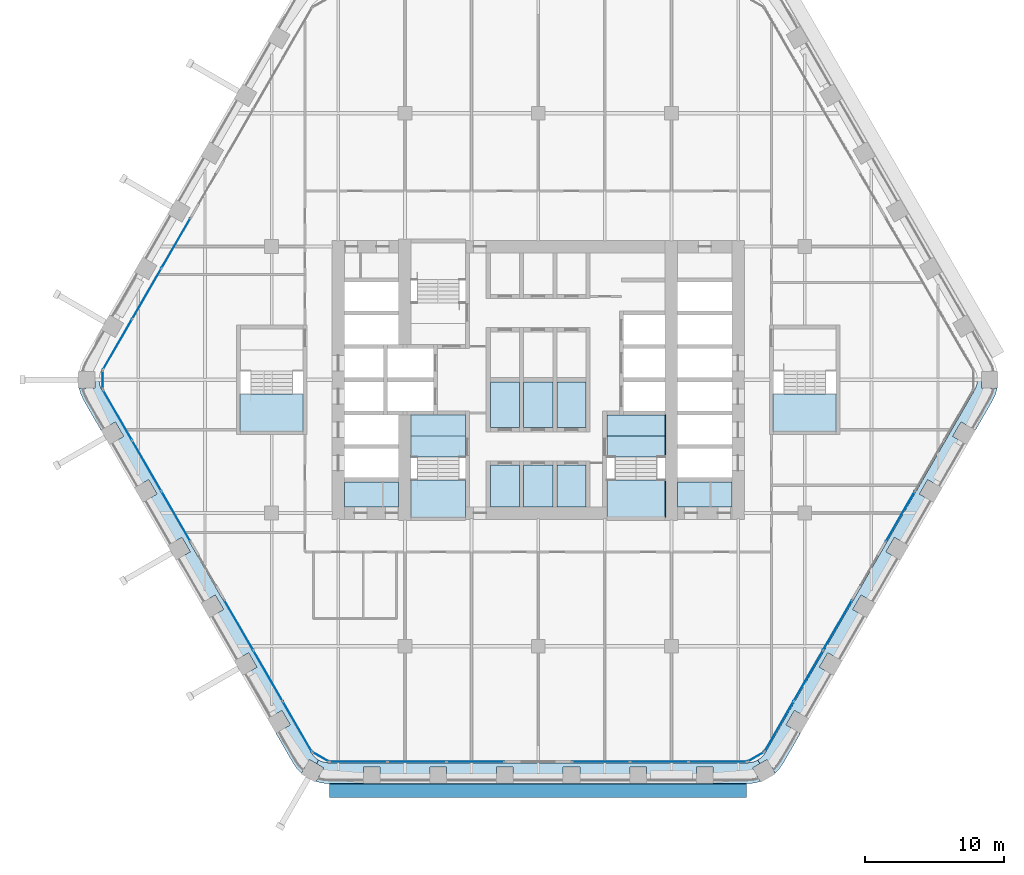
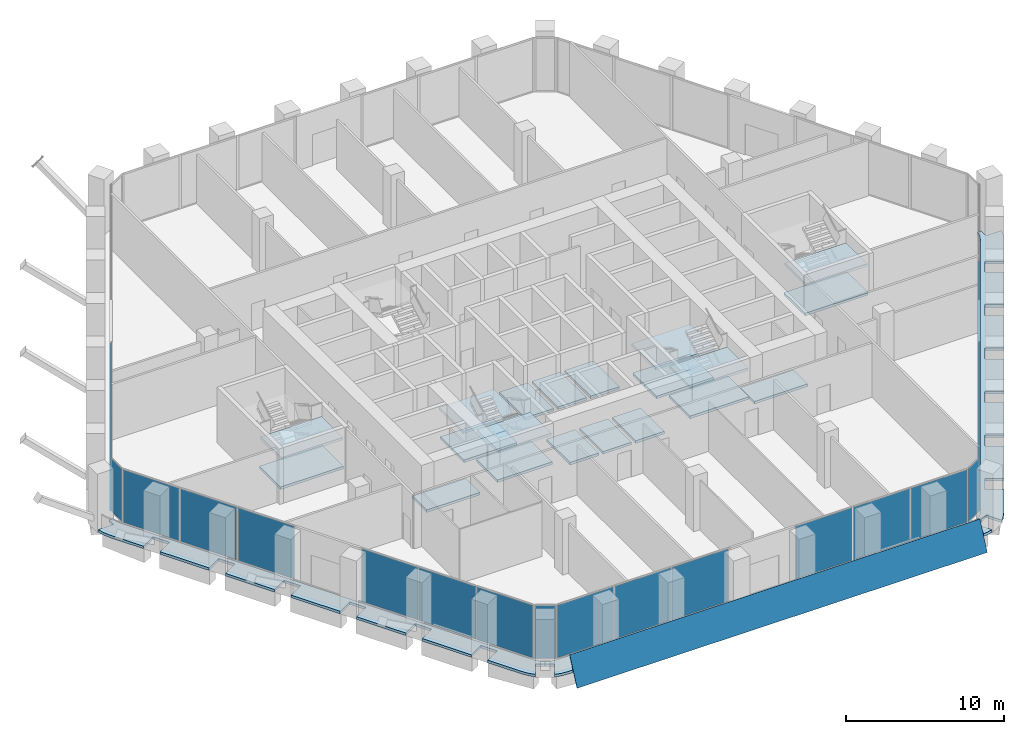
# One storey, part 12 of 27: 25 slabs, 23 plates, 14 elements without a shape of their own.
"""IFC4 building model written with IfcOpenShell, lengths in metres."""

import ifcopenshell
import ifcopenshell.guid

model = None  # the IFC model being written
_history = None  # IfcOwnerHistory: only IFC2X3 demands one
_inside = {}  # id of a spatial element -> (the spatial element, [elements in it])
_under = {}  # id of a project, library or spatial element -> (it, [spatial elements below it])
_declared = {}  # id of a project -> (the project, [libraries it declares])
_typed = {}  # id of a type object -> (the type object, [elements of that type])
_made_of = {}  # id of a material, layer set ... -> (it, [elements and type objects made of it])


def new_model(schema):
    """Start an empty IFC model of exactly this schema.

    Asked for "IFC4X3", IfcOpenShell would pick the latest addendum, in which some entities
    have other attributes; the version numbers below select the first issue.
    IFC2X3 requires an IfcOwnerHistory on every rooted entity: one is made here for all.
    """
    global model, _history
    if schema == "IFC4X3":
        model = ifcopenshell.file(schema_version=(4, 3, 0, 0))
    else:
        model = ifcopenshell.file(schema=schema)
    _inside.clear()
    _under.clear()
    _declared.clear()
    _typed.clear()
    _made_of.clear()
    _history = None
    if model.schema == "IFC2X3":
        org = make("IfcOrganization", Name="unknown")
        user = make(
            "IfcPersonAndOrganization",
            ThePerson=make("IfcPerson", FamilyName="unknown"),
            TheOrganization=org,
        )
        app = make(
            "IfcApplication",
            ApplicationDeveloper=org,
            Version="unknown",
            ApplicationFullName="unknown",
            ApplicationIdentifier="unknown",
        )
        _history = make(
            "IfcOwnerHistory",
            OwningUser=user,
            OwningApplication=app,
            ChangeAction="ADDED",
            CreationDate=0,
        )
    return model


def make(cls, **values):
    """One entity of the class cls with the attributes given. An attribute that is None is left unset."""
    return model.create_entity(
        cls, **{name: value for name, value in values.items() if value is not None}
    )


def rooted(cls, **values):
    """An entity with a GlobalId (a new one), such as an element, a storey or a relation."""
    return make(cls, GlobalId=ifcopenshell.guid.new(), OwnerHistory=_history, **values)


def si_unit(unit_type, name, prefix=None):
    """IfcSIUnit, for example si_unit("LENGTHUNIT", "METRE", prefix="MILLI")."""
    return make("IfcSIUnit", UnitType=unit_type, Prefix=prefix, Name=name)


def assignment(units):
    """IfcUnitAssignment: the units of a project."""
    return None if units is None else make("IfcUnitAssignment", Units=units)


def point(xyz):
    """IfcCartesianPoint."""
    return None if xyz is None else make("IfcCartesianPoint", Coordinates=xyz)


def direction(xyz):
    """IfcDirection."""
    return None if xyz is None else make("IfcDirection", DirectionRatios=xyz)


def frame(location, z_axis=None, x_axis=None):
    """IfcAxis2Placement3D, a coordinate frame: its origin and axes. An axis left out is left unset."""
    return make(
        "IfcAxis2Placement3D",
        Location=point(location),
        Axis=direction(z_axis),
        RefDirection=direction(x_axis),
    )


def frame_2d(location, x_axis=None):
    """IfcAxis2Placement2D, a coordinate frame in the plane: its origin and x axis."""
    return make(
        "IfcAxis2Placement2D", Location=point(location), RefDirection=direction(x_axis)
    )


def origin():
    """The frame at (0, 0, 0) with its axes left unset."""
    return frame((0.0, 0.0, 0.0))


def origin_2d():
    """The frame at (0, 0) in the plane with its x axis left unset."""
    return frame_2d((0.0, 0.0))


def place(relative_to, where):
    """IfcLocalPlacement: puts the frame where relative to a parent placement (None: the world)."""
    return make(
        "IfcLocalPlacement", PlacementRelTo=relative_to, RelativePlacement=where
    )


def context(
    kind, dimensions, precision=None, world=None, true_north=None, identifier=None
):
    """IfcGeometricRepresentationContext, for example the 3D "Model" context."""
    return make(
        "IfcGeometricRepresentationContext",
        ContextIdentifier=identifier,
        ContextType=kind,
        CoordinateSpaceDimension=dimensions,
        Precision=precision,
        WorldCoordinateSystem=world,
        TrueNorth=true_north,
    )


def subcontext(parent, identifier, kind, view, scale=None):
    """IfcGeometricRepresentationSubContext, for example "Body" below "Model"."""
    return make(
        "IfcGeometricRepresentationSubContext",
        ContextIdentifier=identifier,
        ContextType=kind,
        ParentContext=parent,
        TargetScale=scale,
        TargetView=view,
    )


def project(units=None, contexts=None):
    """IfcProject with its units and contexts."""
    return rooted(
        "IfcProject",
        Name="project",
        RepresentationContexts=contexts,
        UnitsInContext=assignment(units),
    )


def spatial(cls, under=None, at=None, **own):
    """A site, building, storey or space (cls), placed at a placement, below another one or the project."""
    s = rooted(cls, ObjectPlacement=at, **own)
    if under is not None:
        _under.setdefault(under.id(), (under, []))[1].append(s)
    return s


def polyline(points):
    """IfcPolyline through the points."""
    return make("IfcPolyline", Points=[point(p) for p in points])


def profile(cls, at=None, kind="AREA", **sizes):
    """A parametric profile (cls). Its sizes go by their IFC names, for example OverallWidth=200.0."""
    return make(cls, ProfileType=kind, Position=at, **sizes)


def rectangle(**sizes):
    """IfcRectangleProfileDef."""
    return profile("IfcRectangleProfileDef", **sizes)


def outline(outer, holes=None, kind="AREA"):
    """IfcArbitraryClosedProfileDef: a profile drawn as a closed curve; with holes, ...WithVoids."""
    if holes is None:
        return make("IfcArbitraryClosedProfileDef", ProfileType=kind, OuterCurve=outer)
    return make(
        "IfcArbitraryProfileDefWithVoids",
        ProfileType=kind,
        OuterCurve=outer,
        InnerCurves=holes,
    )


def extrude(swept, where, along, depth):
    """IfcExtrudedAreaSolid: the profile swept, set in the frame where, extruded along a direction by depth."""
    return make(
        "IfcExtrudedAreaSolid",
        SweptArea=swept,
        Position=where,
        ExtrudedDirection=direction(along),
        Depth=depth,
    )


def shape(context_of_items, identifier, shape_type, items):
    """IfcShapeRepresentation: the items that make up one representation, for example the "Body"."""
    return make(
        "IfcShapeRepresentation",
        ContextOfItems=context_of_items,
        RepresentationIdentifier=identifier,
        RepresentationType=shape_type,
        Items=items,
    )


def material(Name=None, Category=None):
    """IfcMaterial."""
    return make("IfcMaterial", Name=Name, Category=Category)


def layer(
    of_material, thickness, ventilated=None, Name=None, Category=None, Priority=None
):
    """IfcMaterialLayer: one layer of a wall or slab, of a material (None: an air gap)."""
    return make(
        "IfcMaterialLayer",
        Material=of_material,
        LayerThickness=thickness,
        IsVentilated=ventilated,
        Name=Name,
        Category=Category,
        Priority=Priority,
    )


def layer_set(layers, Name=None):
    """IfcMaterialLayerSet."""
    return make("IfcMaterialLayerSet", MaterialLayers=layers, LayerSetName=Name)


def made_of(thing, what):
    """Note that an element or type object is made of a material, layer set ...; save() writes the relation."""
    if what is not None:
        _made_of.setdefault(what.id(), (what, []))[1].append(thing)
    return thing


def type_object(cls, material=None, **own):
    """A type object (cls), such as IfcWallType, which elements share."""
    return made_of(rooted(cls, **own), material)


def element(
    cls,
    number,
    at=None,
    inside=None,
    cuts=None,
    type_object=None,
    material=None,
    context=None,
    identifier="Body",
    shape_type=None,
    held_by="IfcProductDefinitionShape",
    body=None,
    shapes=None,
    **own,
):
    """One element of the class cls, such as IfcWall. Its Tag is "e" and its number.

    at: its placement. inside: the storey or other place that contains it. cuts: it is an
    opening in that element (IfcRelVoidsElement). A single representation is given by context,
    identifier, shape_type and body (its items); several are given by shapes. held_by: the class
    of the entity that holds the representations. save() writes the other relations.
    """
    e = rooted(cls, Tag="e%d" % number, ObjectPlacement=at, **own)
    if body is not None:
        shapes = [shape(context, identifier, shape_type, body)]
    if shapes is not None:
        e.Representation = make(held_by, Representations=shapes)
    if inside is not None:
        _inside.setdefault(inside.id(), (inside, []))[1].append(e)
    if cuts is not None:
        rooted(
            "IfcRelVoidsElement", RelatingBuildingElement=cuts, RelatedOpeningElement=e
        )
    if type_object is not None:
        _typed.setdefault(type_object.id(), (type_object, []))[1].append(e)
    return made_of(e, material)


def aggregate(whole, parts):
    """IfcRelAggregates: a whole, such as a stair, and the parts it consists of."""
    return rooted("IfcRelAggregates", RelatingObject=whole, RelatedObjects=parts)


def save(model, path):
    """Write the relations noted so far, then the file.

    IfcRelAggregates (storeys below a building ...), IfcRelContainedInSpatialStructure (elements
    in a storey), IfcRelDefinesByType, IfcRelAssociatesMaterial and IfcRelDeclares: one each for
    every whole, place, type object, material and project.
    """
    for whole, parts in _under.values():
        aggregate(whole, parts)
    for where, things in _inside.values():
        rooted(
            "IfcRelContainedInSpatialStructure",
            RelatedElements=things,
            RelatingStructure=where,
        )
    for kind, things in _typed.values():
        rooted("IfcRelDefinesByType", RelatedObjects=things, RelatingType=kind)
    for what, things in _made_of.values():
        rooted("IfcRelAssociatesMaterial", RelatedObjects=things, RelatingMaterial=what)
    for by, libraries in _declared.values():
        rooted("IfcRelDeclares", RelatingContext=by, RelatedDefinitions=libraries)
    model.write(path)


model = new_model("IFC4")

# Units and contexts
model_context = context("Model", 3, precision=1e-05, world=origin(), true_north=direction((0.0, 1.0)))
body_context = subcontext(model_context, "Body", "Model", "MODEL_VIEW")
ifc_project = project(units=[si_unit("LENGTHUNIT", "METRE"), si_unit("AREAUNIT", "SQUARE_METRE"), si_unit("VOLUMEUNIT", "CUBIC_METRE"), si_unit("PLANEANGLEUNIT", "RADIAN"), si_unit("MASSUNIT", "GRAM", prefix="KILO")], contexts=[model_context])

# Site, building, storey
site_placement = place(None, origin())
site = spatial("IfcSite", under=ifc_project, at=site_placement, CompositionType="ELEMENT")
building_placement = place(site_placement, origin())
building = spatial("IfcBuilding", under=site, at=building_placement, Name="Kolab Exchange Tower", CompositionType="ELEMENT")
storey_placement = place(building_placement, frame((0.0, 0.0, 118.39990234375)))
storey = spatial("IfcBuildingStorey", under=building, at=storey_placement, Name="L23", CompositionType="ELEMENT", Elevation=118.39990234375)

# Slabs
ifc_material_1 = material(Name="Concrete C35/45", Category="concrete")
ifc_layer_1 = layer(ifc_material_1, 0.199951171875)
ifc_layer_set_1 = layer_set([ifc_layer_1], Name="Concrete C35/45")
slab_type_1 = type_object("IfcSlabType", Name="FLOOR SLAB 200", PredefinedType="FLOOR", material=ifc_layer_set_1)
slab_1_placement = place(storey_placement, frame((0.0, 0.0, -0.199951171875)))
element("IfcSlab", 1, at=slab_1_placement, inside=storey, type_object=slab_type_1, Name="slab/L23/floor/2", PredefinedType="FLOOR", context=body_context, shape_type="SweptSolid", body=[
    extrude(outline(polyline([(-10.050048828125, -9.14990234375), (-10.050048828125, -7.35009765625), (-13.949951171875, -7.35009765625), (-13.949951171875, -9.14990234375), (-10.050048828125, -9.14990234375)])), origin(), (0.0, 0.0, 1.0), 0.199951171875),
])
slab_2_placement = place(storey_placement, frame((0.0, 0.0, -0.199951171875)))
element("IfcSlab", 2, at=slab_2_placement, inside=storey, type_object=slab_type_1, Name="slab/L23/floor/4", PredefinedType="FLOOR", context=body_context, shape_type="SweptSolid", body=[
    extrude(outline(polyline([(10.050048828125, -9.14990234375), (13.949951171875, -9.14990234375), (13.949951171875, -7.35009765625), (10.050048828125, -7.35009765625), (10.050048828125, -9.14990234375)])), origin(), (0.0, 0.0, 1.0), 0.199951171875),
])
slab_3_placement = place(storey_placement, frame((0.0, 0.0, -0.199951171875)))
element("IfcSlab", 3, at=slab_3_placement, inside=storey, type_object=slab_type_1, Name="slab/L23/floor/6", PredefinedType="FLOOR", context=body_context, shape_type="SweptSolid", body=[
    extrude(outline(polyline([(-1.35009765625, -3.449951171875), (-1.35009765625, -0.14990234375), (-3.449951171875, -0.14990234375), (-3.449951171875, -3.449951171875), (-1.35009765625, -3.449951171875)])), origin(), (0.0, 0.0, 1.0), 0.199951171875),
])
slab_4_placement = place(storey_placement, frame((0.0, 0.0, -0.199951171875)))
element("IfcSlab", 4, at=slab_4_placement, inside=storey, type_object=slab_type_1, Name="slab/L23/floor/8", PredefinedType="FLOOR", context=body_context, shape_type="SweptSolid", body=[
    extrude(outline(polyline([(-1.050048828125, -0.14990234375), (-1.050048828125, -3.449951171875), (1.050048828125, -3.449951171875), (1.050048828125, -0.14990234375), (-1.050048828125, -0.14990234375)])), origin(), (0.0, 0.0, 1.0), 0.199951171875),
])
slab_5_placement = place(storey_placement, frame((0.0, 0.0, -0.199951171875)))
element("IfcSlab", 5, at=slab_5_placement, inside=storey, type_object=slab_type_1, Name="slab/L23/floor/10", PredefinedType="FLOOR", context=body_context, shape_type="SweptSolid", body=[
    extrude(outline(polyline([(1.35009765625, -3.449951171875), (3.449951171875, -3.449951171875), (3.449951171875, -0.14990234375), (1.35009765625, -0.14990234375), (1.35009765625, -3.449951171875)])), origin(), (0.0, 0.0, 1.0), 0.199951171875),
])
slab_6_placement = place(storey_placement, frame((0.0, 0.0, -0.199951171875)))
element("IfcSlab", 6, at=slab_6_placement, inside=storey, type_object=slab_type_1, Name="slab/L23/floor/14", PredefinedType="FLOOR", context=body_context, shape_type="SweptSolid", body=[
    extrude(outline(polyline([(-1.35009765625, -6.14990234375), (-3.449951171875, -6.14990234375), (-3.449951171875, -9.14990234375), (-1.35009765625, -9.14990234375), (-1.35009765625, -6.14990234375)])), origin(), (0.0, 0.0, 1.0), 0.199951171875),
])
slab_7_placement = place(storey_placement, frame((0.0, 0.0, -0.199951171875)))
element("IfcSlab", 7, at=slab_7_placement, inside=storey, type_object=slab_type_1, Name="slab/L23/floor/16", PredefinedType="FLOOR", context=body_context, shape_type="SweptSolid", body=[
    extrude(outline(polyline([(1.050048828125, -6.14990234375), (-1.050048828125, -6.14990234375), (-1.050048828125, -9.14990234375), (1.050048828125, -9.14990234375), (1.050048828125, -6.14990234375)])), origin(), (0.0, 0.0, 1.0), 0.199951171875),
])
slab_8_placement = place(storey_placement, frame((0.0, 0.0, -0.199951171875)))
element("IfcSlab", 8, at=slab_8_placement, inside=storey, type_object=slab_type_1, Name="slab/L23/floor/18", PredefinedType="FLOOR", context=body_context, shape_type="SweptSolid", body=[
    extrude(outline(polyline([(1.35009765625, -6.14990234375), (1.35009765625, -9.14990234375), (3.449951171875, -9.14990234375), (3.449951171875, -6.14990234375), (1.35009765625, -6.14990234375)])), origin(), (0.0, 0.0, 1.0), 0.199951171875),
])
slab_9_placement = place(storey_placement, frame((0.0, 0.0, -0.199951171875)))
element("IfcSlab", 9, at=slab_9_placement, inside=storey, type_object=slab_type_1, Name="slab/L23/floor/20", PredefinedType="FLOOR", context=body_context, shape_type="SweptSolid", body=[
    extrude(outline(polyline([(4.949951171875, -4.050048828125), (9.14990234375, -4.050048828125), (9.14990234375, -2.550048828125), (6.14990234375, -2.550048828125), (5.85009765625, -2.550048828125), (4.949951171875, -2.550048828125), (4.949951171875, -4.050048828125)])), origin(), (0.0, 0.0, 1.0), 0.199951171875),
])
slab_10_placement = place(storey_placement, frame((0.0, 0.0, -0.199951171875)))
element("IfcSlab", 10, at=slab_10_placement, inside=storey, type_object=slab_type_1, Name="slab/L23/floor/21", PredefinedType="FLOOR", context=body_context, shape_type="SweptSolid", body=[
    extrude(outline(polyline([(-9.14990234375, -2.550048828125), (-9.14990234375, -4.050048828125), (-5.25, -4.050048828125), (-5.25, -2.550048828125), (-7.25, -2.550048828125), (-7.550048828125, -2.550048828125), (-9.14990234375, -2.550048828125)])), origin(), (0.0, 0.0, 1.0), 0.199951171875),
])
ifc_layer_2 = layer(ifc_material_1, 0.199951171875)
ifc_layer_set_2 = layer_set([ifc_layer_2], Name="Concrete C35/45")
slab_type_2 = type_object("IfcSlabType", Name="LOGGIA SLAB 200", PredefinedType="FLOOR", material=ifc_layer_set_2)
slab_11_placement = place(storey_placement, frame((0.0, 0.0, -0.199951171875)))
element("IfcSlab", 11, at=slab_11_placement, inside=storey, type_object=slab_type_2, Name="slab/L23/loggia/2-0", PredefinedType="FLOOR", context=body_context, shape_type="SweptSolid", body=[
    extrude(outline(polyline([(17.666015625, -27.598388671875), (18.89990234375, -25.461181640625), (17.86083984375, -24.861083984375), (18.460693359375, -23.822021484375), (19.5, -24.421875), (21.300048828125, -21.30419921875), (20.2607421875, -20.704345703125), (20.86083984375, -19.6650390625), (21.89990234375, -20.264892578125), (23.699951171875, -17.147216796875), (22.660888671875, -16.54736328125), (23.2607421875, -15.508056640625), (24.300048828125, -16.108154296875), (26.10009765625, -12.990478515625), (25.060791015625, -12.390380859375), (25.660888671875, -11.35107421875), (26.699951171875, -11.951171875), (28.5, -8.83349609375), (27.460693359375, -8.2333984375), (28.060791015625, -7.1943359375), (29.10009765625, -7.794189453125), (30.89990234375, -4.676513671875), (29.86083984375, -4.076416015625), (30.460693359375, -3.037353515625), (31.5, -3.63720703125), (32.73388671875, -1.5), (32.955078125, -1.026123046875), (33.069091796875, -0.60009765625), (31.935791015625, -0.60009765625), (31.935791015625, 0.0), (31.635986328125, 0.0), (31.613037109375, -0.260498046875), (31.54541015625, -0.512939453125), (31.434814453125, -0.75), (16.366943359375, -26.848388671875), (16.217041015625, -27.062744140625), (16.0322265625, -27.24755859375), (15.81787109375, -27.3974609375), (15.968017578125, -27.6572265625), (16.487548828125, -27.357177734375), (17.05419921875, -28.338623046875), (17.365966796875, -28.02685546875), (17.666015625, -27.598388671875)])), origin(), (0.0, 0.0, 1.0), 0.199951171875),
])
slab_12_placement = place(storey_placement, frame((0.0, 0.0, -0.199951171875)))
element("IfcSlab", 12, at=slab_12_placement, inside=storey, type_object=slab_type_2, Name="slab/L23/loggia/3-0", PredefinedType="FLOOR", context=body_context, shape_type="SweptSolid", body=[
    extrude(outline(polyline([(-15.81787109375, -27.3974609375), (-15.968017578125, -27.6572265625), (-15.4482421875, -27.957275390625), (-16.014892578125, -28.938720703125), (-15.5888671875, -29.052978515625), (-15.06787109375, -29.098388671875), (-12.60009765625, -29.098388671875), (-12.60009765625, -27.8984375), (-11.39990234375, -27.8984375), (-11.39990234375, -29.098388671875), (-7.800048828125, -29.098388671875), (-7.800048828125, -27.8984375), (-6.60009765625, -27.8984375), (-6.60009765625, -29.098388671875), (-3.0, -29.098388671875), (-3.0, -27.8984375), (-1.800048828125, -27.8984375), (-1.800048828125, -29.098388671875), (1.800048828125, -29.098388671875), (1.800048828125, -27.8984375), (3.0, -27.8984375), (3.0, -29.098388671875), (6.60009765625, -29.098388671875), (6.60009765625, -27.8984375), (7.800048828125, -27.8984375), (7.800048828125, -29.098388671875), (11.39990234375, -29.098388671875), (11.39990234375, -27.8984375), (12.60009765625, -27.8984375), (12.60009765625, -29.098388671875), (15.06787109375, -29.098388671875), (15.5888671875, -29.052978515625), (16.014892578125, -28.938720703125), (15.4482421875, -27.957275390625), (15.968017578125, -27.6572265625), (15.81787109375, -27.3974609375), (15.5810546875, -27.508056640625), (15.328369140625, -27.57568359375), (15.06787109375, -27.598388671875), (-15.06787109375, -27.598388671875), (-15.328369140625, -27.57568359375), (-15.5810546875, -27.508056640625), (-15.81787109375, -27.3974609375)])), origin(), (0.0, 0.0, 1.0), 0.199951171875),
])
slab_13_placement = place(storey_placement, frame((0.0, 0.0, -0.199951171875)))
element("IfcSlab", 13, at=slab_13_placement, inside=storey, type_object=slab_type_2, Name="slab/L23/loggia/4-0", PredefinedType="FLOOR", context=body_context, shape_type="SweptSolid", body=[
    extrude(outline(polyline([(-31.635986328125, 0.0), (-31.935791015625, 0.0), (-31.935791015625, -0.60009765625), (-33.069091796875, -0.60009765625), (-32.955078125, -1.026123046875), (-32.73388671875, -1.5), (-31.5, -3.63720703125), (-30.460693359375, -3.037353515625), (-29.86083984375, -4.076416015625), (-30.89990234375, -4.676513671875), (-29.10009765625, -7.794189453125), (-28.060791015625, -7.1943359375), (-27.460693359375, -8.2333984375), (-28.5, -8.83349609375), (-26.699951171875, -11.951171875), (-25.660888671875, -11.35107421875), (-25.060791015625, -12.390380859375), (-26.10009765625, -12.990478515625), (-24.300048828125, -16.108154296875), (-23.2607421875, -15.508056640625), (-22.660888671875, -16.54736328125), (-23.699951171875, -17.147216796875), (-21.89990234375, -20.264892578125), (-20.86083984375, -19.6650390625), (-20.2607421875, -20.704345703125), (-21.300048828125, -21.30419921875), (-19.5, -24.421875), (-18.460693359375, -23.822021484375), (-17.86083984375, -24.861083984375), (-18.89990234375, -25.461181640625), (-17.666015625, -27.598388671875), (-17.365966796875, -28.02685546875), (-17.05419921875, -28.338623046875), (-16.487548828125, -27.357177734375), (-15.968017578125, -27.6572265625), (-15.81787109375, -27.3974609375), (-16.0322265625, -27.24755859375), (-16.217041015625, -27.062744140625), (-16.366943359375, -26.848388671875), (-31.434814453125, -0.75), (-31.54541015625, -0.512939453125), (-31.613037109375, -0.260498046875), (-31.635986328125, 0.0)])), origin(), (0.0, 0.0, 1.0), 0.199951171875),
])

# Plate
ifc_material_2 = material(Name="Laminated glass, clear", Category="glass")
ifc_layer_3 = layer(ifc_material_2, 0.0400390625)
ifc_layer_set_3 = layer_set([ifc_layer_3], Name="Laminated glass, clear")
plate_type_1 = type_object("IfcPlateType", Name="OUTER SKIN LAMINATED GLASS SHEET 40", PredefinedType="SHEET", material=ifc_layer_set_3)
plate_1_placement = place(storey_placement, frame((15.01806640625, -30.078857421875, -0.73291015625), z_axis=(0.0, -0.906331045159, 0.422568380954), x_axis=(-1.0, 0.0, 0.0)))
element("IfcPlate", 14, at=plate_1_placement, inside=storey, type_object=plate_type_1, Name="Outer skin", PredefinedType="SHEET", context=body_context, shape_type="SweptSolid", body=[
    extrude(outline(polyline([(0.0, 0.0), (30.0361328125, 0.0), (30.0361328125, -2.2341751996320496), (0.0, -2.2341751996320496), (0.0, 0.0)])), origin(), (0.0, 0.0, -1.0), 0.0400390625),
])

# Stair, slabs
ifc_material_3 = material(Name="Concrete C50/60", Category="concrete")
stair_type_1 = type_object("IfcStairType", Name="STAIR ST3 RISER 160.7", PredefinedType="DOUBLE_RETURN_STAIR", material=ifc_material_3)
stair_1_placement = place(storey_placement, origin())
stair_1 = element("IfcStair", 15, at=stair_1_placement, inside=storey, type_object=stair_type_1, Name="Stair 3", PredefinedType="DOUBLE_RETURN_STAIR")
ifc_layer_4 = layer(ifc_material_3, 0.199951171875)
ifc_layer_set_4 = layer_set([ifc_layer_4], Name="Concrete C50/60")
slab_type_3 = type_object("IfcSlabType", Name="STAIR LANDING 200", PredefinedType="LANDING", material=ifc_layer_set_4)
slab_14_placement = place(storey_placement, frame((0.0, 0.0, -0.199951171875)))
slab_14 = element("IfcSlab", 16, at=slab_14_placement, type_object=slab_type_3, Name="ST3 landing 1", PredefinedType="LANDING", context=body_context, shape_type="SweptSolid", body=[
    extrude(outline(polyline([(-9.14990234375, -5.550048828125), (-5.25, -5.550048828125), (-5.25, -4.050048828125), (-9.14990234375, -4.050048828125), (-9.14990234375, -5.550048828125)])), origin(), (0.0, 0.0, 1.0), 0.199951171875),
])
slab_15_placement = place(storey_placement, frame((0.0, 0.0, 0.925048828125)))
slab_15 = element("IfcSlab", 17, at=slab_15_placement, type_object=slab_type_3, Name="ST3 landing 2", PredefinedType="LANDING", context=body_context, shape_type="SweptSolid", body=[
    extrude(outline(polyline([(-9.2099609375, -9.909912109375), (-5.18994140625, -9.909912109375), (-5.18994140625, -7.22998046875), (-9.2099609375, -7.22998046875), (-9.2099609375, -9.909912109375)])), origin(), (0.0, 0.0, 1.0), 0.199951171875),
])
slab_16_placement = place(storey_placement, frame((0.0, 0.0, 2.050048828125)))
slab_16 = element("IfcSlab", 18, at=slab_16_placement, type_object=slab_type_3, Name="ST3 landing 3", PredefinedType="LANDING", context=body_context, shape_type="SweptSolid", body=[
    extrude(outline(polyline([(-9.2099609375, -5.550048828125), (-5.18994140625, -5.550048828125), (-5.18994140625, -2.489990234375), (-9.2099609375, -2.489990234375), (-9.2099609375, -5.550048828125)])), origin(), (0.0, 0.0, 1.0), 0.199951171875),
])
slab_17_placement = place(storey_placement, frame((0.0, 0.0, 3.175048828125)))
slab_17 = element("IfcSlab", 19, at=slab_17_placement, type_object=slab_type_3, Name="ST3 landing 4", PredefinedType="LANDING", context=body_context, shape_type="SweptSolid", body=[
    extrude(outline(polyline([(-9.14990234375, -9.909912109375), (-5.25, -9.909912109375), (-5.25, -7.22998046875), (-9.14990234375, -7.22998046875), (-9.14990234375, -9.909912109375)])), origin(), (0.0, 0.0, 1.0), 0.199951171875),
])
aggregate(stair_1, [slab_14, slab_15, slab_16, slab_17])

stair_type_2 = type_object("IfcStairType", Name="STAIR ST2 RISER 160.7", PredefinedType="DOUBLE_RETURN_STAIR", material=ifc_material_3)
stair_2_placement = place(storey_placement, origin())
stair_2 = element("IfcStair", 20, at=stair_2_placement, inside=storey, type_object=stair_type_2, Name="Stair 2", PredefinedType="DOUBLE_RETURN_STAIR")
slab_18_placement = place(storey_placement, frame((0.0, 0.0, -0.199951171875)))
slab_18 = element("IfcSlab", 21, at=slab_18_placement, type_object=slab_type_3, Name="ST2 landing 1", PredefinedType="LANDING", context=body_context, shape_type="SweptSolid", body=[
    extrude(outline(polyline([(4.949951171875, -5.550048828125), (9.14990234375, -5.550048828125), (9.14990234375, -4.050048828125), (4.949951171875, -4.050048828125), (4.949951171875, -5.550048828125)])), origin(), (0.0, 0.0, 1.0), 0.199951171875),
])
slab_19_placement = place(storey_placement, frame((0.0, 0.0, 0.925048828125)))
slab_19 = element("IfcSlab", 22, at=slab_19_placement, type_object=slab_type_3, Name="ST2 landing 2", PredefinedType="LANDING", context=body_context, shape_type="SweptSolid", body=[
    extrude(outline(polyline([(4.889892578125, -9.909912109375), (9.2099609375, -9.909912109375), (9.2099609375, -7.22998046875), (4.889892578125, -7.22998046875), (4.889892578125, -9.909912109375)])), origin(), (0.0, 0.0, 1.0), 0.199951171875),
])
slab_20_placement = place(storey_placement, frame((0.0, 0.0, 2.050048828125)))
slab_20 = element("IfcSlab", 23, at=slab_20_placement, type_object=slab_type_3, Name="ST2 landing 3", PredefinedType="LANDING", context=body_context, shape_type="SweptSolid", body=[
    extrude(outline(polyline([(4.889892578125, -5.550048828125), (9.2099609375, -5.550048828125), (9.2099609375, -2.489990234375), (4.889892578125, -2.489990234375), (4.889892578125, -5.550048828125)])), origin(), (0.0, 0.0, 1.0), 0.199951171875),
])
slab_21_placement = place(storey_placement, frame((0.0, 0.0, 3.175048828125)))
slab_21 = element("IfcSlab", 24, at=slab_21_placement, type_object=slab_type_3, Name="ST2 landing 4", PredefinedType="LANDING", context=body_context, shape_type="SweptSolid", body=[
    extrude(outline(polyline([(4.949951171875, -9.909912109375), (9.14990234375, -9.909912109375), (9.14990234375, -7.22998046875), (4.949951171875, -7.22998046875), (4.949951171875, -9.909912109375)])), origin(), (0.0, 0.0, 1.0), 0.199951171875),
])
aggregate(stair_2, [slab_18, slab_19, slab_20, slab_21])

stair_type_3 = type_object("IfcStairType", Name="STAIR ST4 RISER 160.7", PredefinedType="DOUBLE_RETURN_STAIR", material=ifc_material_3)
stair_3_placement = place(storey_placement, origin())
stair_3 = element("IfcStair", 25, at=stair_3_placement, inside=storey, type_object=stair_type_3, Name="Stair 4", PredefinedType="DOUBLE_RETURN_STAIR")
slab_22_placement = place(storey_placement, frame((0.0, 0.0, 0.925048828125)))
slab_22 = element("IfcSlab", 26, at=slab_22_placement, type_object=slab_type_3, Name="ST4 landing 2", PredefinedType="LANDING", context=body_context, shape_type="SweptSolid", body=[
    extrude(outline(polyline([(16.889892578125, -3.7099609375), (21.510009765625, -3.7099609375), (21.510009765625, -1.030029296875), (16.889892578125, -1.030029296875), (16.889892578125, -3.7099609375)])), origin(), (0.0, 0.0, 1.0), 0.199951171875),
])
slab_23_placement = place(storey_placement, frame((0.0, 0.0, 3.175048828125)))
slab_23 = element("IfcSlab", 27, at=slab_23_placement, type_object=slab_type_3, Name="ST4 landing 4", PredefinedType="LANDING", context=body_context, shape_type="SweptSolid", body=[
    extrude(outline(polyline([(16.949951171875, -3.7099609375), (21.449951171875, -3.7099609375), (21.449951171875, -1.030029296875), (16.949951171875, -1.030029296875), (16.949951171875, -3.7099609375)])), origin(), (0.0, 0.0, 1.0), 0.199951171875),
])
aggregate(stair_3, [slab_22, slab_23])

stair_type_4 = type_object("IfcStairType", Name="STAIR ST5 RISER 160.7", PredefinedType="DOUBLE_RETURN_STAIR", material=ifc_material_3)
stair_4_placement = place(storey_placement, origin())
stair_4 = element("IfcStair", 28, at=stair_4_placement, inside=storey, type_object=stair_type_4, Name="Stair 5", PredefinedType="DOUBLE_RETURN_STAIR")
slab_24_placement = place(storey_placement, frame((0.0, 0.0, 0.925048828125)))
slab_24 = element("IfcSlab", 29, at=slab_24_placement, type_object=slab_type_3, Name="ST5 landing 2", PredefinedType="LANDING", context=body_context, shape_type="SweptSolid", body=[
    extrude(outline(polyline([(-21.510009765625, -3.7099609375), (-16.889892578125, -3.7099609375), (-16.889892578125, -1.030029296875), (-21.510009765625, -1.030029296875), (-21.510009765625, -3.7099609375)])), origin(), (0.0, 0.0, 1.0), 0.199951171875),
])
slab_25_placement = place(storey_placement, frame((0.0, 0.0, 3.175048828125)))
slab_25 = element("IfcSlab", 30, at=slab_25_placement, type_object=slab_type_3, Name="ST5 landing 4", PredefinedType="LANDING", context=body_context, shape_type="SweptSolid", body=[
    extrude(outline(polyline([(-21.449951171875, -3.7099609375), (-16.949951171875, -3.7099609375), (-16.949951171875, -1.030029296875), (-21.449951171875, -1.030029296875), (-21.449951171875, -3.7099609375)])), origin(), (0.0, 0.0, 1.0), 0.199951171875),
])
aggregate(stair_4, [slab_24, slab_25])

# Curtain wall, plate
ifc_material_4 = material(Name="Aluminium EN AW-6063 T6", Category="aluminium")
curtain_wall_type = type_object("IfcCurtainWallType", Name="UNITISED LOWER MID ZONE CURTAIN WALL", PredefinedType="NOTDEFINED", material=ifc_material_4)
curtain_wall_1_placement = place(storey_placement, origin())
curtain_wall_1 = element("IfcCurtainWall", 31, at=curtain_wall_1_placement, inside=storey, type_object=curtain_wall_type, Name="cw/L23/F3-1", PredefinedType="NOTDEFINED")
ifc_material_5 = material(Name="Clear insulated glazing unit", Category="glass")
ifc_layer_5 = layer(ifc_material_5, 0.02587890625)
ifc_layer_set_5 = layer_set([ifc_layer_5], Name="Clear insulated glazing unit")
plate_type_2 = type_object("IfcPlateType", Name="UNITISED LOWER MID ZONE GLASS PANEL 26", PredefinedType="CURTAIN_PANEL", material=ifc_layer_set_5)
plate_2_placement = place(storey_placement, frame((26.0947265625, -9.83935546875, 0.06005859375), z_axis=(0.0, 0.0, 1.0), x_axis=(-0.499999958358, -0.866025427826, 0.0)))
plate_2 = element("IfcPlate", 32, at=plate_2_placement, type_object=plate_type_2, Name="CW2 panel 3.1", PredefinedType="CURTAIN_PANEL", context=body_context, shape_type="SweptSolid", body=[
    extrude(rectangle(XDim=4.132568359375, YDim=0.02587890625, at=origin_2d()), origin(), (0.0, 0.0, 1.0), 4.080078125),
])
aggregate(curtain_wall_1, [plate_2])

# Curtain wall, plates
curtain_wall_2_placement = place(storey_placement, origin())
curtain_wall_2 = element("IfcCurtainWall", 33, at=curtain_wall_2_placement, inside=storey, type_object=curtain_wall_type, Name="cw/L23/F3-2", PredefinedType="NOTDEFINED")
plate_3_placement = place(storey_placement, frame((21.568603515625, -17.67919921875, 0.06005859375), z_axis=(0.0, 0.0, 1.0), x_axis=(-0.500000017564, -0.866025393644, 0.0)))
plate_3 = element("IfcPlate", 34, at=plate_3_placement, type_object=plate_type_2, Name="CW2 panel 1.1", PredefinedType="CURTAIN_PANEL", context=body_context, shape_type="SweptSolid", body=[
    extrude(rectangle(XDim=4.132568359375, YDim=0.02587890625, at=origin_2d()), origin(), (0.0, 0.0, 1.0), 4.080078125),
])
plate_4_placement = place(storey_placement, frame((19.464599609375, -21.322998046875, 0.06005859375), z_axis=(0.0, 0.0, 1.0), x_axis=(-0.500000017564, -0.866025393644, 0.0)))
plate_4 = element("IfcPlate", 35, at=plate_4_placement, type_object=plate_type_2, Name="CW2 panel 2.1", PredefinedType="CURTAIN_PANEL", context=body_context, shape_type="SweptSolid", body=[
    extrude(rectangle(XDim=4.16259765625, YDim=0.02587890625, at=origin_2d()), origin(), (0.0, 0.0, 1.0), 4.080078125),
])
plate_5_placement = place(storey_placement, frame((17.36083984375, -24.967041015625, 0.06005859375), z_axis=(0.0, 0.0, 1.0), x_axis=(-0.500000017564, -0.866025393644, 0.0)))
plate_5 = element("IfcPlate", 36, at=plate_5_placement, type_object=plate_type_2, Name="CW2 panel 3.1", PredefinedType="CURTAIN_PANEL", context=body_context, shape_type="SweptSolid", body=[
    extrude(rectangle(XDim=4.132568359375, YDim=0.02587890625, at=origin_2d()), origin(), (0.0, 0.0, 1.0), 4.080078125),
])
aggregate(curtain_wall_2, [plate_3, plate_4, plate_5])

curtain_wall_3_placement = place(storey_placement, origin())
curtain_wall_3 = element("IfcCurtainWall", 37, at=curtain_wall_3_placement, inside=storey, type_object=curtain_wall_type, Name="cw/L23/F4-1", PredefinedType="NOTDEFINED")
plate_6_placement = place(storey_placement, frame((12.941650390625, -27.5185546875, 0.06005859375), z_axis=(0.0, 0.0, 1.0), x_axis=(-1.0, 0.0, 0.0)))
plate_6 = element("IfcPlate", 38, at=plate_6_placement, type_object=plate_type_2, Name="CW2 panel 1.1", PredefinedType="CURTAIN_PANEL", context=body_context, shape_type="SweptSolid", body=[
    extrude(rectangle(XDim=4.132568359375, YDim=0.02587890625, at=origin_2d()), origin(), (0.0, 0.0, 1.0), 4.080078125),
])
plate_7_placement = place(storey_placement, frame((8.73388671875, -27.5185546875, 0.06005859375), z_axis=(0.0, 0.0, 1.0), x_axis=(-1.0, 0.0, 0.0)))
plate_7 = element("IfcPlate", 39, at=plate_7_placement, type_object=plate_type_2, Name="CW2 panel 2.1", PredefinedType="CURTAIN_PANEL", context=body_context, shape_type="SweptSolid", body=[
    extrude(rectangle(XDim=4.16259765625, YDim=0.02587890625, at=origin_2d()), origin(), (0.0, 0.0, 1.0), 4.080078125),
])
plate_8_placement = place(storey_placement, frame((4.5263671875, -27.5185546875, 0.06005859375), z_axis=(0.0, 0.0, 1.0), x_axis=(-1.0, 0.0, 0.0)))
plate_8 = element("IfcPlate", 40, at=plate_8_placement, type_object=plate_type_2, Name="CW2 panel 3.1", PredefinedType="CURTAIN_PANEL", context=body_context, shape_type="SweptSolid", body=[
    extrude(rectangle(XDim=4.132568359375, YDim=0.02587890625, at=origin_2d()), origin(), (0.0, 0.0, 1.0), 4.080078125),
])
aggregate(curtain_wall_3, [plate_6, plate_7, plate_8])

curtain_wall_4_placement = place(storey_placement, origin())
curtain_wall_4 = element("IfcCurtainWall", 41, at=curtain_wall_4_placement, inside=storey, type_object=curtain_wall_type, Name="cw/L23/F4-2", PredefinedType="NOTDEFINED")
plate_9_placement = place(storey_placement, frame((-4.5263671875, -27.5185546875, 0.06005859375), z_axis=(0.0, 0.0, 1.0), x_axis=(-1.0, 0.0, 0.0)))
plate_9 = element("IfcPlate", 42, at=plate_9_placement, type_object=plate_type_2, Name="CW2 panel 1.1", PredefinedType="CURTAIN_PANEL", context=body_context, shape_type="SweptSolid", body=[
    extrude(rectangle(XDim=4.132568359375, YDim=0.02587890625, at=origin_2d()), origin(), (0.0, 0.0, 1.0), 4.080078125),
])
plate_10_placement = place(storey_placement, frame((-8.73388671875, -27.5185546875, 0.06005859375), z_axis=(0.0, 0.0, 1.0), x_axis=(-1.0, 0.0, 0.0)))
plate_10 = element("IfcPlate", 43, at=plate_10_placement, type_object=plate_type_2, Name="CW2 panel 2.1", PredefinedType="CURTAIN_PANEL", context=body_context, shape_type="SweptSolid", body=[
    extrude(rectangle(XDim=4.16259765625, YDim=0.02587890625, at=origin_2d()), origin(), (0.0, 0.0, 1.0), 4.080078125),
])
plate_11_placement = place(storey_placement, frame((-12.941650390625, -27.5185546875, 0.06005859375), z_axis=(0.0, 0.0, 1.0), x_axis=(-1.0, 0.0, 0.0)))
plate_11 = element("IfcPlate", 44, at=plate_11_placement, type_object=plate_type_2, Name="CW2 panel 3.1", PredefinedType="CURTAIN_PANEL", context=body_context, shape_type="SweptSolid", body=[
    extrude(rectangle(XDim=4.132568359375, YDim=0.02587890625, at=origin_2d()), origin(), (0.0, 0.0, 1.0), 4.080078125),
])
aggregate(curtain_wall_4, [plate_9, plate_10, plate_11])

curtain_wall_5_placement = place(storey_placement, origin())
curtain_wall_5 = element("IfcCurtainWall", 45, at=curtain_wall_5_placement, inside=storey, type_object=curtain_wall_type, Name="cw/L23/F5-1", PredefinedType="NOTDEFINED")
plate_12_placement = place(storey_placement, frame((-17.36083984375, -24.967041015625, 0.06005859375), z_axis=(0.0, 0.0, 1.0), x_axis=(-0.500000017564, 0.866025393644, 0.0)))
plate_12 = element("IfcPlate", 46, at=plate_12_placement, type_object=plate_type_2, Name="CW2 panel 1.1", PredefinedType="CURTAIN_PANEL", context=body_context, shape_type="SweptSolid", body=[
    extrude(rectangle(XDim=4.132568359375, YDim=0.02587890625, at=origin_2d()), origin(), (0.0, 0.0, 1.0), 4.080078125),
])
plate_13_placement = place(storey_placement, frame((-19.464599609375, -21.322998046875, 0.06005859375), z_axis=(0.0, 0.0, 1.0), x_axis=(-0.500000017564, 0.866025393644, 0.0)))
plate_13 = element("IfcPlate", 47, at=plate_13_placement, type_object=plate_type_2, Name="CW2 panel 2.1", PredefinedType="CURTAIN_PANEL", context=body_context, shape_type="SweptSolid", body=[
    extrude(rectangle(XDim=4.16259765625, YDim=0.02587890625, at=origin_2d()), origin(), (0.0, 0.0, 1.0), 4.080078125),
])
plate_14_placement = place(storey_placement, frame((-21.568603515625, -17.67919921875, 0.06005859375), z_axis=(0.0, 0.0, 1.0), x_axis=(-0.500000017564, 0.866025393644, 0.0)))
plate_14 = element("IfcPlate", 48, at=plate_14_placement, type_object=plate_type_2, Name="CW2 panel 3.1", PredefinedType="CURTAIN_PANEL", context=body_context, shape_type="SweptSolid", body=[
    extrude(rectangle(XDim=4.132568359375, YDim=0.02587890625, at=origin_2d()), origin(), (0.0, 0.0, 1.0), 4.080078125),
])
aggregate(curtain_wall_5, [plate_12, plate_13, plate_14])

curtain_wall_6_placement = place(storey_placement, origin())
curtain_wall_6 = element("IfcCurtainWall", 49, at=curtain_wall_6_placement, inside=storey, type_object=curtain_wall_type, Name="cw/L23/F5-2", PredefinedType="NOTDEFINED")
plate_15_placement = place(storey_placement, frame((-26.0947265625, -9.83935546875, 0.06005859375), z_axis=(0.0, 0.0, 1.0), x_axis=(-0.499999958358, 0.866025427826, 0.0)))
plate_15 = element("IfcPlate", 50, at=plate_15_placement, type_object=plate_type_2, Name="CW2 panel 1.1", PredefinedType="CURTAIN_PANEL", context=body_context, shape_type="SweptSolid", body=[
    extrude(rectangle(XDim=4.132568359375, YDim=0.02587890625, at=origin_2d()), origin(), (0.0, 0.0, 1.0), 4.080078125),
])
plate_16_placement = place(storey_placement, frame((-28.19873046875, -6.1953125, 0.06005859375), z_axis=(0.0, 0.0, 1.0), x_axis=(-0.499999958358, 0.866025427826, 0.0)))
plate_16 = element("IfcPlate", 51, at=plate_16_placement, type_object=plate_type_2, Name="CW2 panel 2.1", PredefinedType="CURTAIN_PANEL", context=body_context, shape_type="SweptSolid", body=[
    extrude(rectangle(XDim=4.16259765625, YDim=0.02587890625, at=origin_2d()), origin(), (0.0, 0.0, 1.0), 4.080078125),
])
plate_17_placement = place(storey_placement, frame((-30.302490234375, -2.551513671875, 0.06005859375), z_axis=(0.0, 0.0, 1.0), x_axis=(-0.499999958358, 0.866025427826, 0.0)))
plate_17 = element("IfcPlate", 52, at=plate_17_placement, type_object=plate_type_2, Name="CW2 panel 3.1", PredefinedType="CURTAIN_PANEL", context=body_context, shape_type="SweptSolid", body=[
    extrude(rectangle(XDim=4.132568359375, YDim=0.02587890625, at=origin_2d()), origin(), (0.0, 0.0, 1.0), 4.080078125),
])
aggregate(curtain_wall_6, [plate_15, plate_16, plate_17])

curtain_wall_7_placement = place(storey_placement, origin())
curtain_wall_7 = element("IfcCurtainWall", 53, at=curtain_wall_7_placement, inside=storey, type_object=curtain_wall_type, Name="cw/L23/F6-1", PredefinedType="NOTDEFINED")
plate_18_placement = place(storey_placement, frame((-30.302490234375, 2.551513671875, 0.06005859375), z_axis=(0.0, 0.0, 1.0), x_axis=(0.499999958358, 0.866025427826, 0.0)))
plate_18 = element("IfcPlate", 54, at=plate_18_placement, type_object=plate_type_2, Name="CW2 panel 1.1", PredefinedType="CURTAIN_PANEL", context=body_context, shape_type="SweptSolid", body=[
    extrude(rectangle(XDim=4.132568359375, YDim=0.02587890625, at=origin_2d()), origin(), (0.0, 0.0, 1.0), 4.080078125),
])
plate_19_placement = place(storey_placement, frame((-28.19873046875, 6.1953125, 0.06005859375), z_axis=(0.0, 0.0, 1.0), x_axis=(0.499999958358, 0.866025427826, 0.0)))
plate_19 = element("IfcPlate", 55, at=plate_19_placement, type_object=plate_type_2, Name="CW2 panel 2.1", PredefinedType="CURTAIN_PANEL", context=body_context, shape_type="SweptSolid", body=[
    extrude(rectangle(XDim=4.16259765625, YDim=0.02587890625, at=origin_2d()), origin(), (0.0, 0.0, 1.0), 4.080078125),
])
plate_20_placement = place(storey_placement, frame((-26.0947265625, 9.83935546875, 0.06005859375), z_axis=(0.0, 0.0, 1.0), x_axis=(0.499999958358, 0.866025427826, 0.0)))
plate_20 = element("IfcPlate", 56, at=plate_20_placement, type_object=plate_type_2, Name="CW2 panel 3.1", PredefinedType="CURTAIN_PANEL", context=body_context, shape_type="SweptSolid", body=[
    extrude(rectangle(XDim=4.132568359375, YDim=0.02587890625, at=origin_2d()), origin(), (0.0, 0.0, 1.0), 4.080078125),
])
aggregate(curtain_wall_7, [plate_18, plate_19, plate_20])

# Curtain wall, plate
curtain_wall_8_placement = place(storey_placement, origin())
curtain_wall_8 = element("IfcCurtainWall", 57, at=curtain_wall_8_placement, inside=storey, type_object=curtain_wall_type, Name="cw/L23/F3F4-corner", PredefinedType="NOTDEFINED")
plate_21_placement = place(storey_placement, frame((15.682861328125, -27.16357421875, 0.06005859375), z_axis=(0.0, 0.0, 1.0), x_axis=(-0.866025390869, -0.50000002237, 0.0)))
plate_21 = element("IfcPlate", 58, at=plate_21_placement, type_object=plate_type_2, Name="CW2 panel 1.1", PredefinedType="CURTAIN_PANEL", context=body_context, shape_type="SweptSolid", body=[
    extrude(rectangle(XDim=1.300048828125, YDim=0.02587890625, at=origin_2d()), origin(), (0.0, 0.0, 1.0), 4.080078125),
])
aggregate(curtain_wall_8, [plate_21])

curtain_wall_9_placement = place(storey_placement, origin())
curtain_wall_9 = element("IfcCurtainWall", 59, at=curtain_wall_9_placement, inside=storey, type_object=curtain_wall_type, Name="cw/L23/F4F5-corner", PredefinedType="NOTDEFINED")
plate_22_placement = place(storey_placement, frame((-15.682861328125, -27.16357421875, 0.06005859375), z_axis=(0.0, 0.0, 1.0), x_axis=(-0.866025390869, 0.50000002237, 0.0)))
plate_22 = element("IfcPlate", 60, at=plate_22_placement, type_object=plate_type_2, Name="CW2 panel 1.1", PredefinedType="CURTAIN_PANEL", context=body_context, shape_type="SweptSolid", body=[
    extrude(rectangle(XDim=1.300048828125, YDim=0.02587890625, at=origin_2d()), origin(), (0.0, 0.0, 1.0), 4.080078125),
])
aggregate(curtain_wall_9, [plate_22])

curtain_wall_10_placement = place(storey_placement, origin())
curtain_wall_10 = element("IfcCurtainWall", 61, at=curtain_wall_10_placement, inside=storey, type_object=curtain_wall_type, Name="cw/L23/F5F6-corner", PredefinedType="NOTDEFINED")
plate_23_placement = place(storey_placement, frame((-31.36572265625, 0.0, 0.06005859375), z_axis=(0.0, 0.0, 1.0), x_axis=(0.0, 1.0, 0.0)))
plate_23 = element("IfcPlate", 62, at=plate_23_placement, type_object=plate_type_2, Name="CW2 panel 1.1", PredefinedType="CURTAIN_PANEL", context=body_context, shape_type="SweptSolid", body=[
    extrude(rectangle(XDim=1.300048828125, YDim=0.02587890625, at=origin_2d()), origin(), (0.0, 0.0, 1.0), 4.080078125),
])
aggregate(curtain_wall_10, [plate_23])

save(model, "model.ifc")
